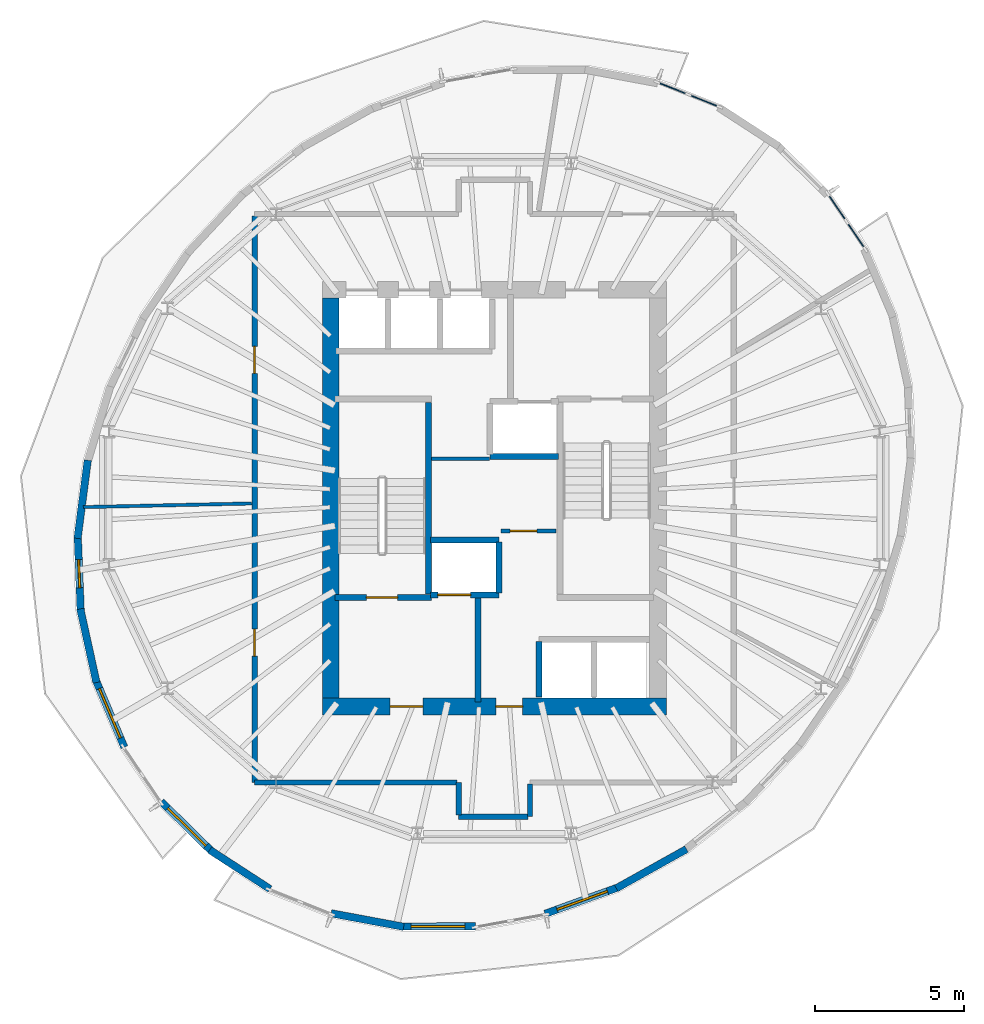
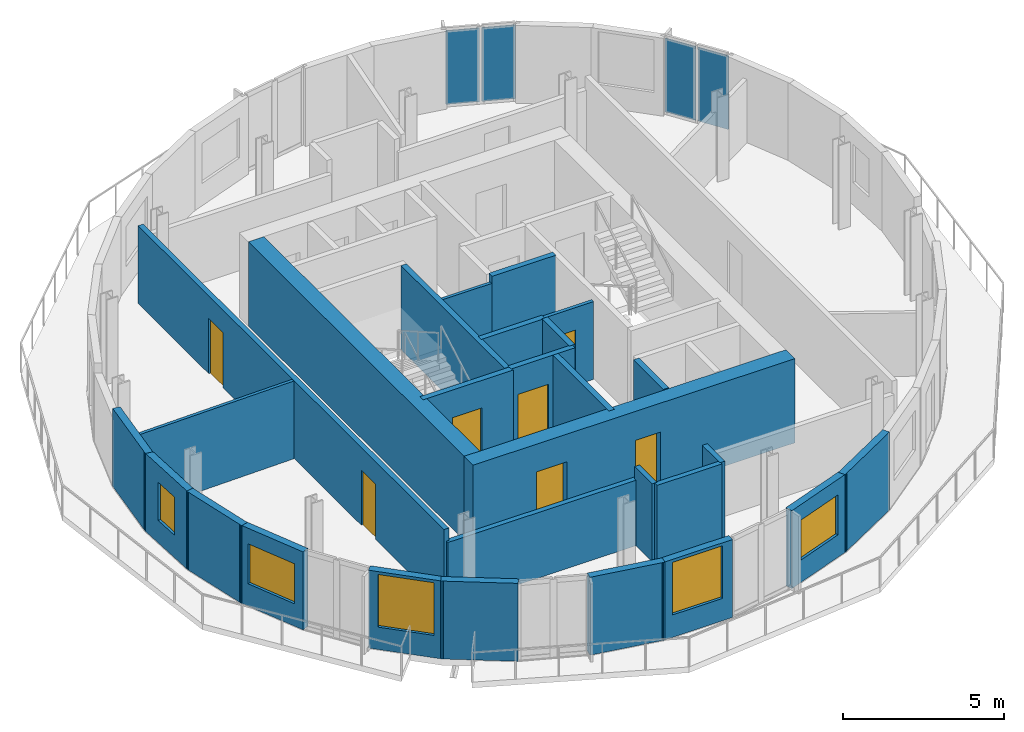
# One storey, part 4 of 9: 28 walls, 7 doors, 5 windows, 4 plates, 12 openings, 2 elements without a shape of their own.
"""IFC4 building model written with IfcOpenShell, lengths in metres."""

from ifc_helpers import new_model, si_unit, direction, frame, frame_2d, origin, origin_2d, place, context, subcontext, project, spatial, rectangle, extrude, material, layer, layer_set, type_object, element, fill, aggregate, save


model = new_model("IFC4")

# Units and contexts
model_context = context("Model", 3, precision=1e-05, world=origin(), true_north=direction((0.0, 1.0)))
body_context = subcontext(model_context, "Body", "Model", "MODEL_VIEW")
ifc_project = project(units=[si_unit("LENGTHUNIT", "METRE"), si_unit("AREAUNIT", "SQUARE_METRE"), si_unit("VOLUMEUNIT", "CUBIC_METRE"), si_unit("PLANEANGLEUNIT", "RADIAN"), si_unit("MASSUNIT", "GRAM", prefix="KILO")], contexts=[model_context])

# Site, building, storey
site_placement = place(None, origin())
site = spatial("IfcSite", under=ifc_project, at=site_placement, CompositionType="ELEMENT")
building_placement = place(site_placement, origin())
building = spatial("IfcBuilding", under=site, at=building_placement, Name="Veldorim Arch Residences", CompositionType="ELEMENT")
storey_placement = place(building_placement, frame((0.0, 0.0, 204.639892578125)))
storey = spatial("IfcBuildingStorey", under=building, at=storey_placement, Name="L61", CompositionType="ELEMENT", Elevation=204.639892578125)

# Curtain wall, plates
ifc_material_1 = material(Name="Aluminium", Category="aluminium")
curtain_wall_type = type_object("IfcCurtainWallType", Name="Sky Lounge & Conservatory Tall Curtain Wall", PredefinedType="NOTDEFINED", material=ifc_material_1)
curtain_wall_1_placement = place(storey_placement, origin())
curtain_wall_1 = element("IfcCurtainWall", 1, at=curtain_wall_1_placement, inside=storey, type_object=curtain_wall_type, Name="L61 unitised curtain wall bay 02", PredefinedType="NOTDEFINED")
ifc_material_2 = material(Name="Laminated Low-E Glass", Category="glass")
ifc_layer_1 = layer(ifc_material_2, 0.031982421875, Name="Sky Lounge & Conservatory Tall Curtain Wall Glazing Panel 32")
ifc_layer_set_1 = layer_set([ifc_layer_1], Name="Laminated Low-E Glass")
plate_type = type_object("IfcPlateType", Name="Sky Lounge & Conservatory Tall Curtain Wall Glazing Panel 32", PredefinedType="CURTAIN_PANEL", material=ifc_layer_set_1)
plate_1_placement = place(storey_placement, frame((37.9912109375, 37.7705078125, 0.080078125), z_axis=(0.0, 0.0, 1.0), x_axis=(0.92956002814, -0.368670793641, 0.0)))
plate_1 = element("IfcPlate", 2, at=plate_1_placement, type_object=plate_type, Name="CW-SKY panel 1.1", PredefinedType="CURTAIN_PANEL", context=body_context, shape_type="SweptSolid", body=[
    extrude(rectangle(XDim=1.053466796875, YDim=0.031982421875, at=origin_2d()), origin(), (0.0, 0.0, 1.0), 2.800048828125),
])
plate_2_placement = place(storey_placement, frame((39.044677734375, 37.352783203125, 0.080078125), z_axis=(0.0, 0.0, 1.0), x_axis=(0.92956002814, -0.368670793641, 0.0)))
plate_2 = element("IfcPlate", 3, at=plate_2_placement, type_object=plate_type, Name="CW-SKY panel 2.1", PredefinedType="CURTAIN_PANEL", context=body_context, shape_type="SweptSolid", body=[
    extrude(rectangle(XDim=1.053466796875, YDim=0.031982421875, at=origin_2d()), origin(), (0.0, 0.0, 1.0), 2.800048828125),
])
aggregate(curtain_wall_1, [plate_1, plate_2])

curtain_wall_2_placement = place(storey_placement, origin())
curtain_wall_2 = element("IfcCurtainWall", 4, at=curtain_wall_2_placement, inside=storey, type_object=curtain_wall_type, Name="L61 unitised curtain wall bay 35", PredefinedType="NOTDEFINED")
plate_3_placement = place(storey_placement, frame((43.514892578125, 33.763671875, 0.080078125), z_axis=(0.0, 0.0, 1.0), x_axis=(0.560811398946, -0.827943581901, 0.0)))
plate_3 = element("IfcPlate", 5, at=plate_3_placement, type_object=plate_type, Name="CW-SKY panel 1.1", PredefinedType="CURTAIN_PANEL", context=body_context, shape_type="SweptSolid", body=[
    extrude(rectangle(XDim=1.053466796875, YDim=0.031982421875, at=origin_2d()), origin(), (0.0, 0.0, 1.0), 2.800048828125),
])
plate_4_placement = place(storey_placement, frame((44.150390625, 32.825439453125, 0.080078125), z_axis=(0.0, 0.0, 1.0), x_axis=(0.560811398946, -0.827943581901, 0.0)))
plate_4 = element("IfcPlate", 6, at=plate_4_placement, type_object=plate_type, Name="CW-SKY panel 2.1", PredefinedType="CURTAIN_PANEL", context=body_context, shape_type="SweptSolid", body=[
    extrude(rectangle(XDim=1.053466796875, YDim=0.031982421875, at=origin_2d()), origin(), (0.0, 0.0, 1.0), 2.800048828125),
])
aggregate(curtain_wall_2, [plate_3, plate_4])

# Wall, opening, door
ifc_material_3 = material(Name="Acoustic Gypsum Board", Category="gypsum")
ifc_layer_2 = layer(ifc_material_3, 0.125, Name="Acoustic Stud Room Partition Wall 125")
ifc_layer_set_2 = layer_set([ifc_layer_2], Name="Acoustic Gypsum Board")
wall_type_1 = type_object("IfcWallType", Name="Acoustic Stud Room Partition Wall 125", PredefinedType="PARTITIONING", material=ifc_layer_set_2)
wall_1_placement = place(storey_placement, frame((32.219970703125, 22.89990234375, 0.0), z_axis=(0.0, 0.0, 1.0), x_axis=(1.0, 0.0, 0.0)))
wall_1 = element("IfcWall", 7, at=wall_1_placement, inside=storey, type_object=wall_type_1, Name="L61 interior wall WL-CA-L61-2", PredefinedType="PARTITIONING", context=body_context, shape_type="SweptSolid", body=[
    extrude(rectangle(XDim=1.860107421875, YDim=0.125, at=frame_2d((0.93017578125, 0.0))), origin(), (0.0, 0.0, 1.0), 2.955078125),
])
opening_1_placement = place(wall_1_placement, frame((0.31005859375, 0.0, 0.0)))
opening_1 = element("IfcOpeningElement", 8, at=opening_1_placement, cuts=wall_1, Name="Opening DR-SVC", PredefinedType="OPENING", context=body_context, shape_type="SweptSolid", body=[
    extrude(rectangle(XDim=0.89990234375, YDim=2.10009765625, at=frame_2d((0.449951171875, 1.050048828125))), frame((0.0, 0.072509765625, 0.0), z_axis=(0.0, -1.0, 0.0), x_axis=(1.0, 0.0, 0.0)), (0.0, 0.0, 1.0), 0.14501953125),
])
ifc_material_4 = material(Name="Fire-Rated Steel", Category="steel")
door_type_1 = type_object("IfcDoorType", Name="Riser, Shelter & Plant Room Rated Steel Door 900x2100", OperationType="SINGLE_SWING_LEFT", PredefinedType="DOOR", material=ifc_material_4)
door_1_placement = place(opening_1_placement, origin())
door_1 = element("IfcDoor", 9, at=door_1_placement, inside=storey, type_object=door_type_1, Name="L61 interior door DR-L61-CA1", OperationType="SINGLE_SWING_RIGHT", OverallHeight=2.10009765625, OverallWidth=0.89990234375, PredefinedType="DOOR", context=body_context, shape_type="SweptSolid", body=[
    extrude(rectangle(XDim=0.89990234375, YDim=2.10009765625, at=frame_2d((0.449951171875, 1.050048828125))), frame((0.0, 0.02490234375, 0.0), z_axis=(0.0, -1.0, 0.0), x_axis=(1.0, 0.0, 0.0)), (0.0, 0.0, 1.0), 0.050048828125),
])
fill(opening_1, door_1)

# Wall, openings, doors
ifc_material_5 = material(Name="Lightweight Masonry Block & Gypsum", Category="masonry")
ifc_layer_3 = layer(ifc_material_5, 0.179931640625, Name="Compartment & Corridor Fire-Rated Party Wall 180")
ifc_layer_set_3 = layer_set([ifc_layer_3], Name="Lightweight Masonry Block & Gypsum")
wall_type_2 = type_object("IfcWallType", Name="Compartment & Corridor Fire-Rated Party Wall 180", PredefinedType="PARTITIONING", material=ifc_layer_set_3)
wall_2_placement = place(storey_placement, frame((23.949951171875, 14.449951171875, 0.0), z_axis=(0.0, 0.0, 1.0), x_axis=(0.0, 1.0, 0.0)))
wall_2 = element("IfcWall", 10, at=wall_2_placement, inside=storey, type_object=wall_type_2, Name="L61 interior wall WL-SKY-L61-006", PredefinedType="PARTITIONING", context=body_context, shape_type="SweptSolid", body=[
    extrude(rectangle(XDim=19.0400390625, YDim=0.179931640625, at=frame_2d((9.52001953125, 0.0))), origin(), (0.0, 0.0, 1.0), 2.955078125),
])
opening_2_placement = place(wall_2_placement, frame((13.747802734375, 0.0, 0.0)))
opening_2 = element("IfcOpeningElement", 11, at=opening_2_placement, cuts=wall_2, Name="Opening DR-INT", PredefinedType="OPENING", context=body_context, shape_type="SweptSolid", body=[
    extrude(rectangle(XDim=0.89990234375, YDim=2.10009765625, at=frame_2d((0.449951171875, 1.050048828125))), frame((0.0, 0.099853515625, 0.0), z_axis=(0.0, -1.0, 0.0), x_axis=(1.0, 0.0, 0.0)), (0.0, 0.0, 1.0), 0.199951171875),
])
opening_3_placement = place(wall_2_placement, frame((4.247802734375, 0.0, 0.0)))
opening_3 = element("IfcOpeningElement", 12, at=opening_3_placement, cuts=wall_2, Name="Opening DR-INT", PredefinedType="OPENING", context=body_context, shape_type="SweptSolid", body=[
    extrude(rectangle(XDim=0.89990234375, YDim=2.10009765625, at=frame_2d((0.449951171875, 1.050048828125))), frame((0.0, 0.099853515625, 0.0), z_axis=(0.0, -1.0, 0.0), x_axis=(1.0, 0.0, 0.0)), (0.0, 0.0, 1.0), 0.199951171875),
])
ifc_material_6 = material(Name="Engineered Timber", Category="wood")
door_type_2 = type_object("IfcDoorType", Name="Apartment Internal Room Timber Door 900x2100", OperationType="SINGLE_SWING_LEFT", PredefinedType="DOOR", material=ifc_material_6)
door_2_placement = place(opening_2_placement, origin())
door_2 = element("IfcDoor", 13, at=door_2_placement, inside=storey, type_object=door_type_2, Name="L61 interior door DR-SKY-L61-001", OperationType="SINGLE_SWING_LEFT", OverallHeight=2.10009765625, OverallWidth=0.89990234375, PredefinedType="DOOR", context=body_context, shape_type="SweptSolid", body=[
    extrude(rectangle(XDim=0.89990234375, YDim=2.10009765625, at=frame_2d((0.449951171875, 1.050048828125))), frame((0.0, 0.02490234375, 0.0), z_axis=(0.0, -1.0, 0.0), x_axis=(1.0, 0.0, 0.0)), (0.0, 0.0, 1.0), 0.050048828125),
])
fill(opening_2, door_2)
door_3_placement = place(opening_3_placement, origin())
door_3 = element("IfcDoor", 14, at=door_3_placement, inside=storey, type_object=door_type_2, Name="L61 interior door DR-SKY-L61-002", OperationType="SINGLE_SWING_RIGHT", OverallHeight=2.10009765625, OverallWidth=0.89990234375, PredefinedType="DOOR", context=body_context, shape_type="SweptSolid", body=[
    extrude(rectangle(XDim=0.89990234375, YDim=2.10009765625, at=frame_2d((0.449951171875, 1.050048828125))), frame((0.0, 0.02490234375, 0.0), z_axis=(0.0, -1.0, 0.0), x_axis=(1.0, 0.0, 0.0)), (0.0, 0.0, 1.0), 0.050048828125),
])
fill(opening_3, door_3)

# Walls
wall_3_placement = place(storey_placement, frame((33.199951171875, 14.389892578125, 0.0), z_axis=(0.0, 0.0, 1.0), x_axis=(0.0, -1.0, 0.0)))
element("IfcWall", 15, at=wall_3_placement, inside=storey, type_object=wall_type_2, Name="L61 interior wall WL-SKY-L61-009", PredefinedType="PARTITIONING", context=body_context, shape_type="SweptSolid", body=[
    extrude(rectangle(XDim=1.08984375, YDim=0.179931640625, at=frame_2d((0.544921875, 0.0))), origin(), (0.0, 0.0, 1.0), 2.955078125),
])
wall_4_placement = place(storey_placement, frame((33.139892578125, 13.300048828125, 0.0), z_axis=(0.0, 0.0, 1.0), x_axis=(-1.0, 0.0, 0.0)))
element("IfcWall", 16, at=wall_4_placement, inside=storey, type_object=wall_type_2, Name="L61 interior wall WL-SKY-L61-010", PredefinedType="PARTITIONING", context=body_context, shape_type="SweptSolid", body=[
    extrude(rectangle(XDim=2.33984375, YDim=0.179931640625, at=frame_2d((1.169921875, 0.0))), origin(), (0.0, 0.0, 1.0), 2.955078125),
])
wall_5_placement = place(storey_placement, frame((30.800048828125, 13.360107421875, 0.0), z_axis=(0.0, 0.0, 1.0), x_axis=(0.0, 1.0, 0.0)))
element("IfcWall", 17, at=wall_5_placement, inside=storey, type_object=wall_type_2, Name="L61 interior wall WL-SKY-L61-011", PredefinedType="PARTITIONING", context=body_context, shape_type="SweptSolid", body=[
    extrude(rectangle(XDim=1.08984375, YDim=0.179931640625, at=frame_2d((0.544921875, 0.0))), origin(), (0.0, 0.0, 1.0), 2.955078125),
])
wall_6_placement = place(storey_placement, frame((30.739990234375, 14.449951171875, 0.0), z_axis=(0.0, 0.0, 1.0), x_axis=(-1.0, 0.0, 0.0)))
element("IfcWall", 18, at=wall_6_placement, inside=storey, type_object=wall_type_2, Name="L61 interior wall WL-SKY-L61-012", PredefinedType="PARTITIONING", context=body_context, shape_type="SweptSolid", body=[
    extrude(rectangle(XDim=6.7900390625, YDim=0.179931640625, at=frame_2d((3.39501953125, 0.0))), origin(), (0.0, 0.0, 1.0), 2.488037109375),
])
ifc_material_7 = material(Name="Concrete C50/60", Category="concrete")
ifc_layer_4 = layer(ifc_material_7, 0.199951171875, Name="Core Stair & Lift Shaft Enclosure Wall 200")
ifc_layer_set_4 = layer_set([ifc_layer_4], Name="Concrete C50/60")
wall_type_3 = type_object("IfcWallType", Name="Core Stair & Lift Shaft Enclosure Wall 200", PredefinedType="SHEAR", material=ifc_layer_set_4)
wall_7_placement = place(storey_placement, frame((29.7900390625, 20.780029296875, 0.0), z_axis=(0.0, 0.0, 1.0), x_axis=(0.0, 1.0, 0.0)))
element("IfcWall", 19, at=wall_7_placement, inside=storey, type_object=wall_type_3, Name="L61 shaft wall WL-SHF-L61-ST1-E", PredefinedType="SHEAR", context=body_context, shape_type="SweptSolid", body=[
    extrude(rectangle(XDim=6.43994140625, YDim=0.199951171875, at=frame_2d((3.219970703125, 0.0))), origin(), (0.0, 0.0, 1.0), 3.2001953125),
])

# Wall, opening, door
wall_8_placement = place(storey_placement, frame((26.64990234375, 20.669921875, 0.0), z_axis=(0.0, 0.0, 1.0), x_axis=(1.0, 0.0, 0.0)))
wall_8 = element("IfcWall", 20, at=wall_8_placement, inside=storey, type_object=wall_type_3, Name="L61 shaft wall WL-SHF-L61-ST1-S", PredefinedType="SHEAR", context=body_context, shape_type="SweptSolid", body=[
    extrude(rectangle(XDim=3.239990234375, YDim=0.199951171875, at=frame_2d((1.6201171875, 0.0))), origin(), (0.0, 0.0, 1.0), 3.2001953125),
])
opening_4_placement = place(wall_8_placement, frame((1.054931640625, 0.0, 0.0)))
opening_4 = element("IfcOpeningElement", 21, at=opening_4_placement, cuts=wall_8, Name="Opening DR-ST", PredefinedType="OPENING", context=body_context, shape_type="SweptSolid", body=[
    extrude(rectangle(XDim=1.050048828125, YDim=2.14990234375, at=frame_2d((0.52490234375, 1.074951171875))), frame((0.0, 0.10986328125, 0.0), z_axis=(0.0, -1.0, 0.0), x_axis=(1.0, 0.0, 0.0)), (0.0, 0.0, 1.0), 0.219970703125),
])
ifc_material_8 = material(Name="Fire-Rated Steel", Category="steel")
door_type_3 = type_object("IfcDoorType", Name="Exit Staircase Self-Closing Fire Door 1050x2150", OperationType="SINGLE_SWING_LEFT", PredefinedType="DOOR", material=ifc_material_8)
door_4_placement = place(opening_4_placement, origin())
door_4 = element("IfcDoor", 22, at=door_4_placement, inside=storey, type_object=door_type_3, Name="L61 interior door DR-L61-ST1", OperationType="SINGLE_SWING_LEFT", OverallHeight=2.14990234375, OverallWidth=1.050048828125, PredefinedType="DOOR", context=body_context, shape_type="SweptSolid", body=[
    extrude(rectangle(XDim=1.050048828125, YDim=2.14990234375, at=frame_2d((0.52490234375, 1.074951171875))), frame((0.0, 0.02490234375, 0.0), z_axis=(0.0, -1.0, 0.0), x_axis=(1.0, 0.0, 0.0)), (0.0, 0.0, 1.0), 0.050048828125),
])
fill(opening_4, door_4)

# Wall
wall_9_placement = place(storey_placement, frame((31.449951171875, 17.14990234375, 0.0), z_axis=(0.0, 0.0, 1.0), x_axis=(0.0, 1.0, 0.0)))
element("IfcWall", 23, at=wall_9_placement, inside=storey, type_object=wall_type_3, Name="L61 shaft wall WL-FFL1-L61-E", PredefinedType="SHEAR", context=body_context, shape_type="SweptSolid", body=[
    extrude(rectangle(XDim=3.5, YDim=0.199951171875, at=frame_2d((1.75, 0.0))), origin(), (0.0, 0.0, 1.0), 3.2001953125),
])

# Wall, opening, door
wall_10_placement = place(storey_placement, frame((29.85009765625, 20.75, 0.0), z_axis=(0.0, 0.0, 1.0), x_axis=(1.0, 0.0, 0.0)))
wall_10 = element("IfcWall", 24, at=wall_10_placement, inside=storey, type_object=wall_type_3, Name="L61 shaft wall WL-FL01-L61-S", PredefinedType="SHEAR", context=body_context, shape_type="SweptSolid", body=[
    extrude(rectangle(XDim=2.2998046875, YDim=0.199951171875, at=frame_2d((1.14990234375, 0.0))), origin(), (0.0, 0.0, 1.0), 3.2001953125),
])
opening_5_placement = place(wall_10_placement, frame((0.25, 0.0, 0.0)))
opening_5 = element("IfcOpeningElement", 25, at=opening_5_placement, cuts=wall_10, Name="Opening LD-FF", PredefinedType="OPENING", context=body_context, shape_type="SweptSolid", body=[
    extrude(rectangle(XDim=1.10009765625, YDim=2.14990234375, at=frame_2d((0.550048828125, 1.074951171875))), frame((0.0, 0.10986328125, 0.0), z_axis=(0.0, -1.0, 0.0), x_axis=(1.0, 0.0, 0.0)), (0.0, 0.0, 1.0), 0.219970703125),
])
ifc_material_9 = material(Name="Stainless Steel", Category="steel")
door_type_4 = type_object("IfcDoorType", Name="Firefighting Lift Bi-Parting Sliding Landing Door 1100x2150", OperationType="DOUBLE_DOOR_SLIDING", PredefinedType="DOOR", material=ifc_material_9)
door_5_placement = place(opening_5_placement, origin())
door_5 = element("IfcDoor", 26, at=door_5_placement, inside=storey, type_object=door_type_4, Name="L61 lift landing door LD-L61-FL01", OperationType="DOUBLE_DOOR_SLIDING", OverallHeight=2.14990234375, OverallWidth=1.10009765625, PredefinedType="DOOR", context=body_context, shape_type="SweptSolid", body=[
    extrude(rectangle(XDim=1.10009765625, YDim=2.14990234375, at=frame_2d((0.550048828125, 1.074951171875))), frame((0.0, 0.02490234375, 0.0), z_axis=(0.0, -1.0, 0.0), x_axis=(1.0, 0.0, 0.0)), (0.0, 0.0, 1.0), 0.050048828125),
])
fill(opening_5, door_5)

# Walls
wall_11_placement = place(storey_placement, frame((29.85009765625, 22.60009765625, 0.0), z_axis=(0.0, 0.0, 1.0), x_axis=(1.0, 0.0, 0.0)))
element("IfcWall", 27, at=wall_11_placement, inside=storey, type_object=wall_type_3, Name="L61 shaft wall WL-FL01-L61-N", PredefinedType="SHEAR", context=body_context, shape_type="SweptSolid", body=[
    extrude(rectangle(XDim=2.2998046875, YDim=0.199951171875, at=frame_2d((1.14990234375, 0.0))), origin(), (0.0, 0.0, 1.0), 3.2001953125),
])
wall_12_placement = place(storey_placement, frame((32.14990234375, 20.820068359375, 0.0), z_axis=(0.0, 0.0, 1.0), x_axis=(0.0, 1.0, 0.0)))
element("IfcWall", 28, at=wall_12_placement, inside=storey, type_object=wall_type_3, Name="L61 shaft wall WL-FL01-L61-E", PredefinedType="SHEAR", context=body_context, shape_type="SweptSolid", body=[
    extrude(rectangle(XDim=1.7099609375, YDim=0.199951171875, at=frame_2d((0.85498046875, 0.0))), origin(), (0.0, 0.0, 1.0), 3.2001953125),
])
wall_13_placement = place(storey_placement, frame((31.85009765625, 25.39990234375, 0.0), z_axis=(0.0, 0.0, 1.0), x_axis=(1.0, 0.0, 0.0)))
element("IfcWall", 29, at=wall_13_placement, inside=storey, type_object=wall_type_3, Name="L61 shaft wall WL-FL02-L61-S", PredefinedType="SHEAR", context=body_context, shape_type="SweptSolid", body=[
    extrude(rectangle(XDim=2.2998046875, YDim=0.199951171875, at=frame_2d((1.14990234375, 0.0))), origin(), (0.0, 0.0, 1.0), 3.2001953125),
])
wall_14_placement = place(storey_placement, frame((33.5, 17.320068359375, 0.0), z_axis=(0.0, 0.0, 1.0), x_axis=(0.0, 1.0, 0.0)))
element("IfcWall", 30, at=wall_14_placement, inside=storey, type_object=wall_type_3, Name="L61 shaft wall WL-OL-L61-W", PredefinedType="SHEAR", context=body_context, shape_type="SweptSolid", body=[
    extrude(rectangle(XDim=1.85986328125, YDim=0.199951171875, at=frame_2d((0.929931640625, 0.0))), origin(), (0.0, 0.0, 1.0), 3.2001953125),
])
ifc_material_10 = material(Name="Anodised Aluminium & Acoustic Panel", Category="aluminium")
ifc_layer_5 = layer(ifc_material_10, 0.110107421875, Name="Operable Acoustic Clinic & Community Folding Partition 110")
ifc_layer_set_5 = layer_set([ifc_layer_5], Name="Anodised Aluminium & Acoustic Panel")
wall_type_4 = type_object("IfcWallType", Name="Operable Acoustic Clinic & Community Folding Partition 110", PredefinedType="MOVABLE", material=ifc_layer_set_5)
wall_15_placement = place(storey_placement, frame((29.889892578125, 25.330078125, 0.0), z_axis=(0.0, 0.0, 1.0), x_axis=(1.0, 0.0, 0.0)))
element("IfcWall", 31, at=wall_15_placement, inside=storey, type_object=wall_type_4, Name="L61 interior wall WL-CA-L61-N", PredefinedType="MOVABLE", context=body_context, shape_type="SweptSolid", body=[
    extrude(rectangle(XDim=1.940185546875, YDim=0.110107421875, at=frame_2d((0.97021484375, 0.0))), origin(), (0.0, 0.0, 1.0), 2.955078125),
])
wall_16_placement = place(storey_placement, frame((23.85009765625, 23.823486328125, 0.0), z_axis=(0.0, 0.0, 1.0), x_axis=(-0.999766651884, -0.021601892983, 0.0)))
element("IfcWall", 32, at=wall_16_placement, inside=storey, type_object=wall_type_4, Name="L61 interior wall WL-SKY-L61-013", PredefinedType="MOVABLE", context=body_context, shape_type="SweptSolid", body=[
    extrude(rectangle(XDim=5.662109375, YDim=0.110107421875, at=frame_2d((2.8310546875, 0.0))), origin(), (0.0, 0.0, 1.0), 2.955078125),
])
ifc_material_11 = material(Name="Precast concrete C40/50", Category="concrete")
ifc_layer_6 = layer(ifc_material_11, 0.25, Name="Tower Terracotta Spandrel & Pier Wall 250")
ifc_layer_set_6 = layer_set([ifc_layer_6], Name="Precast concrete C40/50")
wall_type_5 = type_object("IfcWallType", Name="Tower Terracotta Spandrel & Pier Wall 250", PredefinedType="SOLIDWALL", material=ifc_layer_set_6)
wall_17_placement = place(storey_placement, frame((17.996337890625, 22.6484375, 0.0), z_axis=(0.0, 0.0, 1.0), x_axis=(0.129291941608, 0.991606572102, 0.0)))
element("IfcWall", 33, at=wall_17_placement, inside=storey, type_object=wall_type_5, Name="L61 terracotta facade wall 13", PredefinedType="SOLIDWALL", context=body_context, shape_type="SweptSolid", body=[
    extrude(rectangle(XDim=2.651123046875, YDim=0.25, at=frame_2d((1.32568359375, 0.0))), origin(), (0.0, 0.0, 1.0), 2.960205078125),
])

# Wall, opening, window
wall_18_placement = place(storey_placement, frame((18.10302734375, 20.1689453125, 0.0), z_axis=(0.0, 0.0, 1.0), x_axis=(-0.0391781915, 0.999232239928, 0.0)))
wall_18 = element("IfcWall", 34, at=wall_18_placement, inside=storey, type_object=wall_type_5, Name="L61 terracotta facade wall 14", PredefinedType="SOLIDWALL", context=body_context, shape_type="SweptSolid", body=[
    extrude(rectangle(XDim=2.59228515625, YDim=0.25, at=frame_2d((1.296142578125, 0.0))), origin(), (0.0, 0.0, 1.0), 2.960205078125),
])
opening_6_placement = place(wall_18_placement, frame((0.821044921875, 0.0, 0.85009765625)))
opening_6 = element("IfcOpeningElement", 35, at=opening_6_placement, cuts=wall_18, Name="Opening WN-05", PredefinedType="OPENING", context=body_context, shape_type="SweptSolid", body=[
    extrude(rectangle(XDim=0.949951171875, YDim=1.449951171875, at=frame_2d((0.47509765625, 0.72509765625))), frame((0.0, 0.135009765625, 0.0), z_axis=(0.0, -1.0, 0.0), x_axis=(1.0, 0.0, 0.0)), (0.0, 0.0, 1.0), 0.27001953125),
])
ifc_material_12 = material(Name="Laminated Low-E Glass", Category="glass")
window_type_1 = type_object("IfcWindowType", Name="Residential Compact Casement Window 950x1450", PartitioningType="SINGLE_PANEL", PredefinedType="WINDOW", material=ifc_material_12)
window_1_placement = place(opening_6_placement, origin())
window_1 = element("IfcWindow", 36, at=window_1_placement, inside=storey, type_object=window_type_1, Name="L61 solar-control facade window 14", OverallHeight=1.449951171875, OverallWidth=0.949951171875, PartitioningType="SINGLE_PANEL", PredefinedType="WINDOW", context=body_context, shape_type="SweptSolid", body=[
    extrude(rectangle(XDim=0.949951171875, YDim=1.449951171875, at=frame_2d((0.47509765625, 0.72509765625))), frame((0.0, 0.030029296875, 0.0), z_axis=(0.0, -1.0, 0.0), x_axis=(1.0, 0.0, 0.0)), (0.0, 0.0, 1.0), 0.06005859375),
])
fill(opening_6, window_1)

# Wall
wall_19_placement = place(storey_placement, frame((18.632080078125, 17.806884765625, 0.0), z_axis=(0.0, 0.0, 1.0), x_axis=(-0.214642879542, 0.976692599676, 0.0)))
element("IfcWall", 37, at=wall_19_placement, inside=storey, type_object=wall_type_5, Name="L61 terracotta facade wall 15", PredefinedType="SOLIDWALL", context=body_context, shape_type="SweptSolid", body=[
    extrude(rectangle(XDim=2.531982421875, YDim=0.25, at=frame_2d((1.26611328125, 0.0))), origin(), (0.0, 0.0, 1.0), 2.960205078125),
])

# Wall, opening, window
wall_20_placement = place(storey_placement, frame((19.5673828125, 15.6337890625, 0.0), z_axis=(0.0, 0.0, 1.0), x_axis=(-0.391230346066, 0.920292788365, 0.0)))
wall_20 = element("IfcWall", 38, at=wall_20_placement, inside=storey, type_object=wall_type_5, Name="L61 terracotta facade wall 16", PredefinedType="SOLIDWALL", context=body_context, shape_type="SweptSolid", body=[
    extrude(rectangle(XDim=2.47802734375, YDim=0.25, at=frame_2d((1.239013671875, 0.0))), origin(), (0.0, 0.0, 1.0), 2.960205078125),
])
opening_7_placement = place(wall_20_placement, frame((0.339111328125, 0.0, 0.85009765625)))
opening_7 = element("IfcOpeningElement", 39, at=opening_7_placement, cuts=wall_20, Name="Opening WN-04", PredefinedType="OPENING", context=body_context, shape_type="SweptSolid", body=[
    extrude(rectangle(XDim=1.800048828125, YDim=1.52001953125, at=frame_2d((0.89990234375, 0.760009765625))), frame((0.0, 0.135009765625, 0.0), z_axis=(0.0, -1.0, 0.0), x_axis=(1.0, 0.0, 0.0)), (0.0, 0.0, 1.0), 0.27001953125),
])
ifc_material_13 = material(Name="Laminated Low-E Glass", Category="glass")
window_type_2 = type_object("IfcWindowType", Name="Sky Lounge Tall Picture Window 1800x1370", PartitioningType="SINGLE_PANEL", PredefinedType="WINDOW", material=ifc_material_13)
window_2_placement = place(opening_7_placement, origin())
window_2 = element("IfcWindow", 40, at=window_2_placement, inside=storey, type_object=window_type_2, Name="L61 solar-control facade window 16", OverallHeight=1.52001953125, OverallWidth=1.800048828125, PartitioningType="SINGLE_PANEL", PredefinedType="WINDOW", context=body_context, shape_type="SweptSolid", body=[
    extrude(rectangle(XDim=1.800048828125, YDim=1.52001953125, at=frame_2d((0.89990234375, 0.760009765625))), frame((0.0, 0.030029296875, 0.0), z_axis=(0.0, -1.0, 0.0), x_axis=(1.0, 0.0, 0.0)), (0.0, 0.0, 1.0), 0.06005859375),
])
fill(opening_7, window_2)

wall_21_placement = place(storey_placement, frame((22.528564453125, 12.111328125, 0.0), z_axis=(0.0, 0.0, 1.0), x_axis=(-0.713146654272, 0.701014871098, 0.0)))
wall_21 = element("IfcWall", 41, at=wall_21_placement, inside=storey, type_object=wall_type_5, Name="L61 terracotta facade wall 18", PredefinedType="SOLIDWALL", context=body_context, shape_type="SweptSolid", body=[
    extrude(rectangle(XDim=2.414794921875, YDim=0.25, at=frame_2d((1.20751953125, 0.0))), origin(), (0.0, 0.0, 1.0), 2.960205078125),
])
opening_8_placement = place(wall_21_placement, frame((0.306884765625, 0.0, 0.85009765625)))
opening_8 = element("IfcOpeningElement", 42, at=opening_8_placement, cuts=wall_21, Name="Opening WN-04", PredefinedType="OPENING", context=body_context, shape_type="SweptSolid", body=[
    extrude(rectangle(XDim=1.800048828125, YDim=2.0, at=frame_2d((0.89990234375, 1.0))), frame((0.0, 0.135009765625, 0.0), z_axis=(0.0, -1.0, 0.0), x_axis=(1.0, 0.0, 0.0)), (0.0, 0.0, 1.0), 0.27001953125),
])
window_3_placement = place(opening_8_placement, origin())
window_3 = element("IfcWindow", 43, at=window_3_placement, inside=storey, type_object=window_type_2, Name="L61 solar-control facade window 18", OverallHeight=2.0, OverallWidth=1.800048828125, PartitioningType="SINGLE_PANEL", PredefinedType="WINDOW", context=body_context, shape_type="SweptSolid", body=[
    extrude(rectangle(XDim=1.800048828125, YDim=2.0, at=frame_2d((0.89990234375, 1.0))), frame((0.0, 0.030029296875, 0.0), z_axis=(0.0, -1.0, 0.0), x_axis=(1.0, 0.0, 0.0)), (0.0, 0.0, 1.0), 0.06005859375),
])
fill(opening_8, window_3)

# Walls
wall_22_placement = place(storey_placement, frame((24.4638671875, 10.86767578125, 0.0), z_axis=(0.0, 0.0, 1.0), x_axis=(-0.83855679862, 0.544814184368, 0.0)))
element("IfcWall", 44, at=wall_22_placement, inside=storey, type_object=wall_type_5, Name="L61 terracotta facade wall 19", PredefinedType="SOLIDWALL", context=body_context, shape_type="SweptSolid", body=[
    extrude(rectangle(XDim=2.41455078125, YDim=0.25, at=frame_2d((1.207275390625, 0.0))), origin(), (0.0, 0.0, 1.0), 2.960205078125),
])
wall_23_placement = place(storey_placement, frame((28.9541015625, 9.599365234375, 0.0), z_axis=(0.0, 0.0, 1.0), x_axis=(-0.983080153293, 0.183175905079, 0.0)))
element("IfcWall", 45, at=wall_23_placement, inside=storey, type_object=wall_type_5, Name="L61 terracotta facade wall 21", PredefinedType="SOLIDWALL", context=body_context, shape_type="SweptSolid", body=[
    extrude(rectangle(XDim=2.477783203125, YDim=0.25, at=frame_2d((1.23876953125, 0.0))), origin(), (0.0, 0.0, 1.0), 2.960205078125),
])

# Wall, opening, window
wall_24_placement = place(storey_placement, frame((31.373779296875, 9.613525390625, 0.0), z_axis=(0.0, 0.0, 1.0), x_axis=(-0.999998809943, -0.001542761639, 0.0)))
wall_24 = element("IfcWall", 46, at=wall_24_placement, inside=storey, type_object=wall_type_5, Name="L61 terracotta facade wall 22", PredefinedType="SOLIDWALL", context=body_context, shape_type="SweptSolid", body=[
    extrude(rectangle(XDim=2.531982421875, YDim=0.25, at=frame_2d((1.26611328125, 0.0))), origin(), (0.0, 0.0, 1.0), 2.960205078125),
])
opening_9_placement = place(wall_24_placement, frame((0.365966796875, 0.0, 0.85009765625)))
opening_9 = element("IfcOpeningElement", 47, at=opening_9_placement, cuts=wall_24, Name="Opening WN-04", PredefinedType="OPENING", context=body_context, shape_type="SweptSolid", body=[
    extrude(rectangle(XDim=1.800048828125, YDim=2.0, at=frame_2d((0.89990234375, 1.0))), frame((0.0, 0.135009765625, 0.0), z_axis=(0.0, -1.0, 0.0), x_axis=(1.0, 0.0, 0.0)), (0.0, 0.0, 1.0), 0.27001953125),
])
window_4_placement = place(opening_9_placement, origin())
window_4 = element("IfcWindow", 48, at=window_4_placement, inside=storey, type_object=window_type_2, Name="L61 solar-control facade window 22", OverallHeight=2.0, OverallWidth=1.800048828125, PartitioningType="SINGLE_PANEL", PredefinedType="WINDOW", context=body_context, shape_type="SweptSolid", body=[
    extrude(rectangle(XDim=1.800048828125, YDim=2.0, at=frame_2d((0.89990234375, 1.0))), frame((0.0, 0.030029296875, 0.0), z_axis=(0.0, -1.0, 0.0), x_axis=(1.0, 0.0, 0.0)), (0.0, 0.0, 1.0), 0.06005859375),
])
fill(opening_9, window_4)

wall_25_placement = place(storey_placement, frame((36.19921875, 10.93798828125, 0.0), z_axis=(0.0, 0.0, 1.0), x_axis=(-0.940228234169, -0.340544956901, 0.0)))
wall_25 = element("IfcWall", 49, at=wall_25_placement, inside=storey, type_object=wall_type_5, Name="L61 terracotta facade wall 24", PredefinedType="SOLIDWALL", context=body_context, shape_type="SweptSolid", body=[
    extrude(rectangle(XDim=2.651123046875, YDim=0.25, at=frame_2d((1.32568359375, 0.0))), origin(), (0.0, 0.0, 1.0), 2.960205078125),
])
opening_10_placement = place(wall_25_placement, frame((0.425048828125, 0.0, 0.85009765625)))
opening_10 = element("IfcOpeningElement", 50, at=opening_10_placement, cuts=wall_25, Name="Opening WN-04", PredefinedType="OPENING", context=body_context, shape_type="SweptSolid", body=[
    extrude(rectangle(XDim=1.800048828125, YDim=1.52001953125, at=frame_2d((0.89990234375, 0.760009765625))), frame((0.0, 0.135009765625, 0.0), z_axis=(0.0, -1.0, 0.0), x_axis=(1.0, 0.0, 0.0)), (0.0, 0.0, 1.0), 0.27001953125),
])
window_5_placement = place(opening_10_placement, origin())
window_5 = element("IfcWindow", 51, at=window_5_placement, inside=storey, type_object=window_type_2, Name="L61 solar-control facade window 24", OverallHeight=1.52001953125, OverallWidth=1.800048828125, PartitioningType="SINGLE_PANEL", PredefinedType="WINDOW", context=body_context, shape_type="SweptSolid", body=[
    extrude(rectangle(XDim=1.800048828125, YDim=1.52001953125, at=frame_2d((0.89990234375, 0.760009765625))), frame((0.0, 0.030029296875, 0.0), z_axis=(0.0, -1.0, 0.0), x_axis=(1.0, 0.0, 0.0)), (0.0, 0.0, 1.0), 0.06005859375),
])
fill(opening_10, window_5)

# Wall
wall_26_placement = place(storey_placement, frame((38.458251953125, 12.208984375, 0.0), z_axis=(0.0, 0.0, 1.0), x_axis=(-0.873170871474, -0.487414227541, 0.0)))
element("IfcWall", 52, at=wall_26_placement, inside=storey, type_object=wall_type_5, Name="L61 terracotta facade wall 25", PredefinedType="SOLIDWALL", context=body_context, shape_type="SweptSolid", body=[
    extrude(rectangle(XDim=2.701904296875, YDim=0.25, at=frame_2d((1.35107421875, 0.0))), origin(), (0.0, 0.0, 1.0), 2.960205078125),
])

# Wall, openings, doors
ifc_material_14 = material(Name="Concrete C50/60", Category="concrete")
ifc_layer_7 = layer(ifc_material_14, 0.5, Name="Upper Central Core Shear Wall 560")
ifc_layer_set_7 = layer_set([ifc_layer_7], Name="Concrete C50/60")
wall_type_6 = type_object("IfcWallType", Name="Upper Central Core Shear Wall 560", PredefinedType="SHEAR", material=ifc_layer_set_7)
wall_27_placement = place(storey_placement, frame((26.219970703125, 17.0, 0.0), z_axis=(0.0, 0.0, 1.0), x_axis=(1.0, 0.0, 0.0)))
wall_27 = element("IfcWall", 53, at=wall_27_placement, inside=storey, type_object=wall_type_6, Name="L61 central core south shear wall", PredefinedType="SHEAR", context=body_context, shape_type="SweptSolid", body=[
    extrude(rectangle(XDim=11.56005859375, YDim=0.56005859375, at=frame_2d((5.780029296875, 0.0))), origin(), (0.0, 0.0, 1.0), 3.2001953125),
])
opening_11_placement = place(wall_27_placement, frame((2.280029296875, 0.0, 0.0)))
opening_11 = element("IfcOpeningElement", 54, at=opening_11_placement, cuts=wall_27, Name="Opening DR-FFL", PredefinedType="OPENING", context=body_context, shape_type="SweptSolid", body=[
    extrude(rectangle(XDim=1.10009765625, YDim=2.14990234375, at=frame_2d((0.550048828125, 1.074951171875))), frame((0.0, 0.2900390625, 0.0), z_axis=(0.0, -1.0, 0.0), x_axis=(1.0, 0.0, 0.0)), (0.0, 0.0, 1.0), 0.580078125),
])
opening_12_placement = place(wall_27_placement, frame((5.830078125, 0.0, 0.0)))
opening_12 = element("IfcOpeningElement", 55, at=opening_12_placement, cuts=wall_27, Name="Opening DR-SVC", PredefinedType="OPENING", context=body_context, shape_type="SweptSolid", body=[
    extrude(rectangle(XDim=0.89990234375, YDim=2.10009765625, at=frame_2d((0.449951171875, 1.050048828125))), frame((0.0, 0.2900390625, 0.0), z_axis=(0.0, -1.0, 0.0), x_axis=(1.0, 0.0, 0.0)), (0.0, 0.0, 1.0), 0.580078125),
])
ifc_material_15 = material(Name="Fire-Rated Steel & Vision Glass", Category="steel")
door_type_5 = type_object("IfcDoorType", Name="Firefighting Lobby Smoke-Stop Fire Door 1100x2150", OperationType="SINGLE_SWING_LEFT", PredefinedType="DOOR", material=ifc_material_15)
door_6_placement = place(opening_11_placement, origin())
door_6 = element("IfcDoor", 56, at=door_6_placement, inside=storey, type_object=door_type_5, Name="L61 interior door DR-L61-FFL1", OperationType="SINGLE_SWING_RIGHT", OverallHeight=2.14990234375, OverallWidth=1.10009765625, PredefinedType="DOOR", context=body_context, shape_type="SweptSolid", body=[
    extrude(rectangle(XDim=1.10009765625, YDim=2.14990234375, at=frame_2d((0.550048828125, 1.074951171875))), frame((0.0, 0.02490234375, 0.0), z_axis=(0.0, -1.0, 0.0), x_axis=(1.0, 0.0, 0.0)), (0.0, 0.0, 1.0), 0.050048828125),
])
fill(opening_11, door_6)
door_7_placement = place(opening_12_placement, origin())
door_7 = element("IfcDoor", 57, at=door_7_placement, inside=storey, type_object=door_type_1, Name="L61 interior door DR-L61-COR-ANC", OperationType="SINGLE_SWING_LEFT", OverallHeight=2.10009765625, OverallWidth=0.89990234375, PredefinedType="DOOR", context=body_context, shape_type="SweptSolid", body=[
    extrude(rectangle(XDim=0.89990234375, YDim=2.10009765625, at=frame_2d((0.449951171875, 1.050048828125))), frame((0.0, 0.02490234375, 0.0), z_axis=(0.0, -1.0, 0.0), x_axis=(1.0, 0.0, 0.0)), (0.0, 0.0, 1.0), 0.050048828125),
])
fill(opening_12, door_7)

# Wall
wall_28_placement = place(storey_placement, frame((26.5, 17.280029296875, 0.0), z_axis=(0.0, 0.0, 1.0), x_axis=(0.0, 1.0, 0.0)))
element("IfcWall", 58, at=wall_28_placement, inside=storey, type_object=wall_type_6, Name="L61 central core west shear wall", PredefinedType="SHEAR", context=body_context, shape_type="SweptSolid", body=[
    extrude(rectangle(XDim=13.43994140625, YDim=0.56005859375, at=frame_2d((6.719970703125, 0.0))), origin(), (0.0, 0.0, 1.0), 3.2001953125),
])

save(model, "model.ifc")
